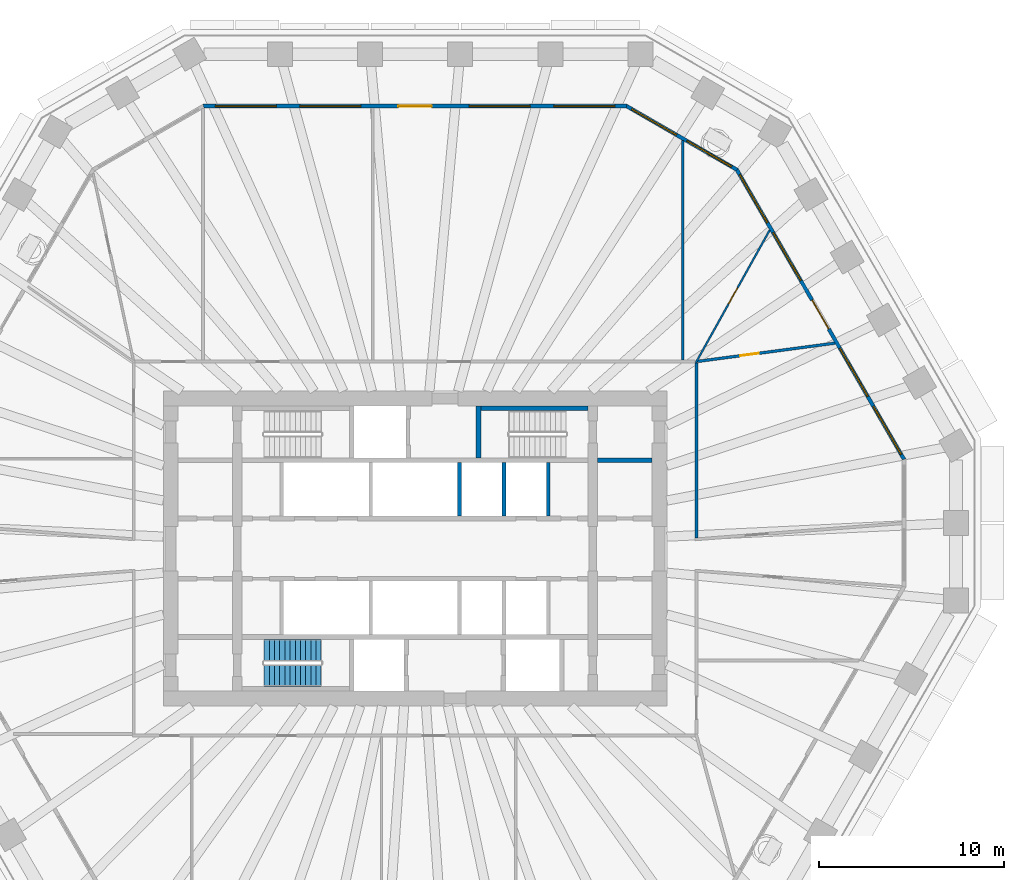
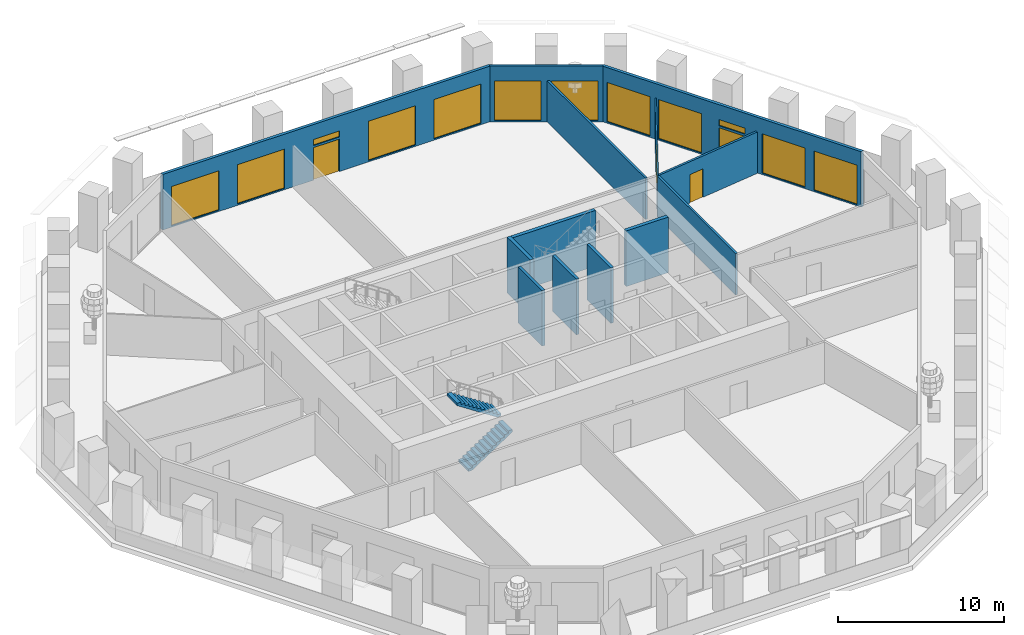
# One storey, part 7 of 12: 13 walls, 12 windows, 4 doors, 2 stair flights, 16 openings, 1 element without a shape of its own.
"""IFC4 building model written with IfcOpenShell, lengths in metres."""

from ifc_helpers import new_model, si_unit, direction, frame, frame_2d, origin, place, context, subcontext, project, spatial, polyline, rectangle, outline, extrude, material, layer, layer_set, type_object, element, fill, aggregate, save


model = new_model("IFC4")

# Units and contexts
model_context = context("Model", 3, precision=1e-05, world=origin(), true_north=direction((0.0, 1.0)))
body_context = subcontext(model_context, "Body", "Model", "MODEL_VIEW")
ifc_project = project(units=[si_unit("LENGTHUNIT", "METRE"), si_unit("AREAUNIT", "SQUARE_METRE"), si_unit("VOLUMEUNIT", "CUBIC_METRE"), si_unit("PLANEANGLEUNIT", "RADIAN"), si_unit("MASSUNIT", "GRAM", prefix="KILO")], contexts=[model_context])

# Site, building, storey
site_placement = place(None, origin())
site = spatial("IfcSite", under=ifc_project, at=site_placement, CompositionType="ELEMENT")
building_placement = place(site_placement, origin())
building = spatial("IfcBuilding", under=site, at=building_placement, Name="Frailejon Research Tower", CompositionType="ELEMENT")
storey_placement = place(building_placement, frame((0.0, 0.0, 130.800048828125)))
storey = spatial("IfcBuildingStorey", under=building, at=storey_placement, Name="L28", CompositionType="ELEMENT", Elevation=130.800048828125)

# Wall
ifc_material_1 = material(Name="Gypsum board and masonry partition", Category="masonry")
ifc_layer_1 = layer(ifc_material_1, 0.14990234375)
ifc_layer_set_1 = layer_set([ifc_layer_1], Name="Corridor wall EI 60, gypsum on steel studs 150")
wall_type_1 = type_object("IfcWallType", Name="Corridor wall EI 60, gypsum on steel studs 150", PredefinedType="PARTITIONING", material=ifc_layer_set_1)
wall_1_placement = place(storey_placement, frame((15.199951171875, 0.57568359375, 0.0), z_axis=(0.0, 0.0, 1.0), x_axis=(0.0, 1.0, 0.0)))
element("IfcWall", 1, at=wall_1_placement, inside=storey, type_object=wall_type_1, Name="T:IW:L28:004", PredefinedType="PARTITIONING", context=body_context, shape_type="SweptSolid", body=[
    extrude(rectangle(XDim=9.44921875, YDim=0.14990234375, at=frame_2d((4.724609375, 0.0))), origin(), (0.0, 0.0, 1.0), 3.050048828125),
])

# Wall, opening, door
ifc_material_2 = material(Name="Gypsum board and masonry partition", Category="masonry")
ifc_layer_2 = layer(ifc_material_2, 0.14990234375)
ifc_layer_set_2 = layer_set([ifc_layer_2], Name="Laboratory partition, blockwork 150")
wall_type_2 = type_object("IfcWallType", Name="Laboratory partition, blockwork 150", PredefinedType="PARTITIONING", material=ifc_layer_set_2)
wall_2_placement = place(storey_placement, frame((15.24951171875, 10.106689453125, 0.0), z_axis=(0.0, 0.0, 1.0), x_axis=(0.991272259153, 0.131830604315, 0.0)))
wall_2 = element("IfcWall", 2, at=wall_2_placement, inside=storey, type_object=wall_type_2, Name="T:IW:L28:011", PredefinedType="PARTITIONING", context=body_context, shape_type="SweptSolid", body=[
    extrude(rectangle(XDim=7.4892578125, YDim=0.14990234375, at=frame_2d((3.74462890625, 0.0))), origin(), (0.0, 0.0, 1.0), 3.050048828125),
])
opening_1_placement = place(wall_2_placement, frame((2.34375, 0.0, 0.0)))
opening_1 = element("IfcOpeningElement", 3, at=opening_1_placement, cuts=wall_2, Name="Opening D1664", PredefinedType="OPENING", context=body_context, shape_type="SweptSolid", body=[
    extrude(rectangle(XDim=1.0, YDim=2.10009765625, at=frame_2d((0.5, 1.050048828125))), frame((0.0, 0.0849609375, 0.0), z_axis=(0.0, -1.0, 0.0), x_axis=(1.0, 0.0, 0.0)), (0.0, 0.0, 1.0), 0.169921875),
])
ifc_material_3 = material(Name="Timber door leaf", Category="wood")
door_type_1 = type_object("IfcDoorType", Name="Door single leaf, timber, steel frame 1000", OperationType="NOTDEFINED", PredefinedType="DOOR", material=ifc_material_3)
door_1_placement = place(opening_1_placement, origin())
door_1 = element("IfcDoor", 4, at=door_1_placement, inside=storey, type_object=door_type_1, Name="D1664", OperationType="SINGLE_SWING_RIGHT", OverallHeight=2.10009765625, OverallWidth=1.0, PredefinedType="DOOR", context=body_context, shape_type="SweptSolid", body=[
    extrude(rectangle(XDim=1.0, YDim=2.10009765625, at=frame_2d((0.5, 1.050048828125))), frame((0.0, 0.02490234375, 0.0), z_axis=(0.0, -1.0, 0.0), x_axis=(1.0, 0.0, 0.0)), (0.0, 0.0, 1.0), 0.050048828125),
])
fill(opening_1, door_1)

# Wall
wall_3_placement = place(storey_placement, frame((14.453125, 10.175048828125, 0.0), z_axis=(0.0, 0.0, 1.0), x_axis=(0.0, 1.0, 0.0)))
element("IfcWall", 5, at=wall_3_placement, inside=storey, type_object=wall_type_2, Name="T:IW:L28:012", PredefinedType="PARTITIONING", context=body_context, shape_type="SweptSolid", body=[
    extrude(rectangle(XDim=11.862060546875, YDim=0.14990234375, at=frame_2d((5.93115234375, 0.0))), origin(), (0.0, 0.0, 1.0), 3.050048828125),
])

# Wall, opening, door
ifc_material_4 = material(Name="Gypsum board and masonry partition", Category="masonry")
ifc_layer_3 = layer(ifc_material_4, 0.10009765625)
ifc_layer_set_3 = layer_set([ifc_layer_3], Name="Partition, gypsum on steel studs 100")
wall_type_3 = type_object("IfcWallType", Name="Partition, gypsum on steel studs 100", PredefinedType="PARTITIONING", material=ifc_layer_set_3)
wall_4_placement = place(storey_placement, frame((15.16357421875, 10.034423828125, 0.0), z_axis=(0.0, 0.0, 1.0), x_axis=(0.486568356271, 0.873642509655, 0.0)))
wall_4 = element("IfcWall", 6, at=wall_4_placement, inside=storey, type_object=wall_type_3, Name="T:IW:L28:019", PredefinedType="PARTITIONING", context=body_context, shape_type="SweptSolid", body=[
    extrude(rectangle(XDim=8.19580078125, YDim=0.10009765625, at=frame_2d((4.097900390625, 0.0))), origin(), (0.0, 0.0, 1.0), 3.050048828125),
])
opening_2_placement = place(wall_4_placement, frame((3.63525390625, 0.0, 0.0)))
opening_2 = element("IfcOpeningElement", 7, at=opening_2_placement, cuts=wall_4, Name="Opening D1665", PredefinedType="OPENING", context=body_context, shape_type="SweptSolid", body=[
    extrude(rectangle(XDim=1.0, YDim=2.10009765625, at=frame_2d((0.5, 1.050048828125))), frame((0.0, 0.06005859375, 0.0), z_axis=(0.0, -1.0, 0.0), x_axis=(1.0, 0.0, 0.0)), (0.0, 0.0, 1.0), 0.1201171875),
])
door_2_placement = place(opening_2_placement, origin())
door_2 = element("IfcDoor", 8, at=door_2_placement, inside=storey, type_object=door_type_1, Name="D1665", OperationType="SINGLE_SWING_LEFT", OverallHeight=2.10009765625, OverallWidth=1.0, PredefinedType="DOOR", context=body_context, shape_type="SweptSolid", body=[
    extrude(rectangle(XDim=1.0, YDim=2.10009765625, at=frame_2d((0.5, 1.050048828125))), frame((0.0, 0.02490234375, 0.0), z_axis=(0.0, -1.0, 0.0), x_axis=(1.0, 0.0, 0.0)), (0.0, 0.0, 1.0), 0.050048828125),
])
fill(opening_2, door_2)

# Walls
ifc_material_5 = material(Name="Concrete C60/75", Category="concrete")
ifc_layer_4 = layer(ifc_material_5, 0.199951171875)
ifc_layer_set_4 = layer_set([ifc_layer_4], Name="Shaft wall 200 C60/75")
wall_type_4 = type_object("IfcWallType", Name="Shaft wall 200 C60/75", PredefinedType="SOLIDWALL", material=ifc_layer_set_4)
for number, where, z_axis, x_axis, name in (
    (9, (2.39990234375, 1.75, 0.0), (0.0, 0.0, 1.0), (0.0, 1.0, 0.0), "Shaft wall"),
    (10, (4.800048828125, 1.75, 0.0), (0.0, 0.0, 1.0), (0.0, 1.0, 0.0), "Shaft wall"),
    (11, (7.199951171875, 1.75, 0.0), (0.0, 0.0, 1.0), (0.0, 1.0, 0.0), "Shaft wall"),
):
    element("IfcWall", number, at=place(storey_placement, frame(where, z_axis=z_axis, x_axis=x_axis)), inside=storey, type_object=wall_type_4, Name=name, PredefinedType="SOLIDWALL", context=body_context, shape_type="SweptSolid", body=[
        extrude(rectangle(XDim=2.89990234375, YDim=0.199951171875, at=frame_2d((1.449951171875, 0.0))), origin(), (0.0, 0.0, 1.0), 4.099853515625),
    ])
ifc_material_6 = material(Name="Concrete C60/75", Category="concrete")
ifc_layer_5 = layer(ifc_material_6, 0.25)
ifc_layer_set_5 = layer_set([ifc_layer_5], Name="Shaft wall 250 C60/75")
wall_type_5 = type_object("IfcWallType", Name="Shaft wall 250 C60/75", PredefinedType="SOLIDWALL", material=ifc_layer_set_5)
wall_5_placement = place(storey_placement, frame((9.85009765625, 4.77490234375, 0.0), z_axis=(0.0, 0.0, 1.0), x_axis=(1.0, 0.0, 0.0)))
element("IfcWall", 12, at=wall_5_placement, inside=storey, type_object=wall_type_5, Name="Shaft wall", PredefinedType="SOLIDWALL", context=body_context, shape_type="SweptSolid", body=[
    extrude(rectangle(XDim=2.949951171875, YDim=0.25, at=frame_2d((1.47509765625, 0.0))), origin(), (0.0, 0.0, 1.0), 4.099853515625),
])
wall_6_placement = place(storey_placement, frame((3.550048828125, 7.574951171875, 0.0), z_axis=(0.0, 0.0, 1.0), x_axis=(1.0, 0.0, 0.0)))
element("IfcWall", 13, at=wall_6_placement, inside=storey, type_object=wall_type_5, Name="Shaft wall", PredefinedType="SOLIDWALL", context=body_context, shape_type="SweptSolid", body=[
    extrude(rectangle(XDim=5.800048828125, YDim=0.25, at=frame_2d((2.89990234375, 0.0))), origin(), (0.0, 0.0, 1.0), 4.099853515625),
])
wall_7_placement = place(storey_placement, frame((3.425048828125, 4.89990234375, 0.0), z_axis=(0.0, 0.0, 1.0), x_axis=(0.0, 1.0, 0.0)))
element("IfcWall", 14, at=wall_7_placement, inside=storey, type_object=wall_type_5, Name="Shaft wall", PredefinedType="SOLIDWALL", context=body_context, shape_type="SweptSolid", body=[
    extrude(rectangle(XDim=2.800048828125, YDim=0.25, at=frame_2d((1.39990234375, 0.0))), origin(), (0.0, 0.0, 1.0), 4.099853515625),
])

# Wall, openings, door, windows
ifc_material_7 = material(Name="Concrete C40/50 precast window wall panel", Category="concrete")
ifc_layer_6 = layer(ifc_material_7, 0.199951171875)
ifc_layer_set_6 = layer_set([ifc_layer_6], Name="Window wall 200")
wall_type_6 = type_object("IfcWallType", Name="Window wall 200", PredefinedType="SOLIDWALL", material=ifc_layer_set_6)
wall_8_placement = place(storey_placement, frame((26.4111328125, 4.820068359375, 0.0), z_axis=(0.0, 0.0, 1.0), x_axis=(-0.500000137386, 0.866025324465, 0.0)))
wall_8 = element("IfcWall", 15, at=wall_8_placement, inside=storey, type_object=wall_type_6, Name="Exterior wall L28", PredefinedType="SOLIDWALL", context=body_context, shape_type="SweptSolid", body=[
    extrude(outline(polyline([(-0.02685546875, -0.10009765625), (0.9794921875, -0.10009765625), (1.986083984375, -0.10009765625), (2.992431640625, -0.10009765625), (3.9990234375, -0.10009765625), (5.00537109375, -0.10009765625), (6.011962890625, -0.10009765625), (7.018310546875, -0.10009765625), (8.02490234375, -0.10009765625), (9.03125, -0.10009765625), (10.03759765625, -0.10009765625), (11.044189453125, -0.10009765625), (12.050537109375, -0.10009765625), (13.05712890625, -0.10009765625), (14.0634765625, -0.10009765625), (15.070068359375, -0.10009765625), (16.076416015625, -0.10009765625), (17.0830078125, -0.10009765625), (18.08935546875, -0.10009765625), (18.03564453125, 0.10009765625), (17.03515625, 0.10009765625), (16.03466796875, 0.10009765625), (15.0341796875, 0.10009765625), (14.03369140625, 0.10009765625), (13.033203125, 0.10009765625), (12.03271484375, 0.10009765625), (11.0322265625, 0.10009765625), (10.03173828125, 0.10009765625), (9.03125, 0.10009765625), (8.03076171875, 0.10009765625), (7.0302734375, 0.10009765625), (6.02978515625, 0.10009765625), (5.029296875, 0.10009765625), (4.02880859375, 0.10009765625), (3.0283203125, 0.10009765625), (2.02783203125, 0.10009765625), (1.02734375, 0.10009765625), (0.02685546875, 0.10009765625), (-0.02685546875, -0.10009765625)])), origin(), (0.0, 0.0, 1.0), 4.099853515625),
])
opening_3_placement = place(wall_8_placement, frame((0.306396484375, 0.0, 0.10009765625)))
opening_3 = element("IfcOpeningElement", 16, at=opening_3_placement, cuts=wall_8, Name="Opening W4", PredefinedType="OPENING", context=body_context, shape_type="SweptSolid", body=[
    extrude(rectangle(XDim=3.0, YDim=2.89990234375, at=frame_2d((1.5, 1.449951171875))), frame((0.0, 0.10986328125, 0.0), z_axis=(0.0, -1.0, 0.0), x_axis=(1.0, 0.0, 0.0)), (0.0, 0.0, 1.0), 0.219970703125),
])
opening_4_placement = place(wall_8_placement, frame((3.918701171875, 0.0, 0.10009765625)))
opening_4 = element("IfcOpeningElement", 17, at=opening_4_placement, cuts=wall_8, Name="Opening W4", PredefinedType="OPENING", context=body_context, shape_type="SweptSolid", body=[
    extrude(rectangle(XDim=3.0, YDim=2.89990234375, at=frame_2d((1.5, 1.449951171875))), frame((0.0, 0.10986328125, 0.0), z_axis=(0.0, -1.0, 0.0), x_axis=(1.0, 0.0, 0.0)), (0.0, 0.0, 1.0), 0.219970703125),
])
opening_5_placement = place(wall_8_placement, frame((8.13134765625, 0.0, 0.0)))
opening_5 = element("IfcOpeningElement", 18, at=opening_5_placement, cuts=wall_8, Name="Opening LG28-1", PredefinedType="OPENING", context=body_context, shape_type="SweptSolid", body=[
    extrude(rectangle(XDim=1.800048828125, YDim=2.39990234375, at=frame_2d((0.89990234375, 1.199951171875))), frame((0.0, 0.10986328125, 0.0), z_axis=(0.0, -1.0, 0.0), x_axis=(1.0, 0.0, 0.0)), (0.0, 0.0, 1.0), 0.219970703125),
])
opening_6_placement = place(wall_8_placement, frame((8.13134765625, 0.0, 2.550048828125)))
opening_6 = element("IfcOpeningElement", 19, at=opening_6_placement, cuts=wall_8, Name="Opening W1", PredefinedType="OPENING", context=body_context, shape_type="SweptSolid", body=[
    extrude(rectangle(XDim=1.800048828125, YDim=0.449951171875, at=frame_2d((0.89990234375, 0.22509765625))), frame((0.0, 0.10986328125, 0.0), z_axis=(0.0, -1.0, 0.0), x_axis=(1.0, 0.0, 0.0)), (0.0, 0.0, 1.0), 0.219970703125),
])
opening_7_placement = place(wall_8_placement, frame((11.143798828125, 0.0, 0.10009765625)))
opening_7 = element("IfcOpeningElement", 20, at=opening_7_placement, cuts=wall_8, Name="Opening W4", PredefinedType="OPENING", context=body_context, shape_type="SweptSolid", body=[
    extrude(rectangle(XDim=3.0, YDim=2.89990234375, at=frame_2d((1.5, 1.449951171875))), frame((0.0, 0.10986328125, 0.0), z_axis=(0.0, -1.0, 0.0), x_axis=(1.0, 0.0, 0.0)), (0.0, 0.0, 1.0), 0.219970703125),
])
opening_8_placement = place(wall_8_placement, frame((14.75634765625, 0.0, 0.10009765625)))
opening_8 = element("IfcOpeningElement", 21, at=opening_8_placement, cuts=wall_8, Name="Opening W4", PredefinedType="OPENING", context=body_context, shape_type="SweptSolid", body=[
    extrude(rectangle(XDim=3.0, YDim=2.89990234375, at=frame_2d((1.5, 1.449951171875))), frame((0.0, 0.10986328125, 0.0), z_axis=(0.0, -1.0, 0.0), x_axis=(1.0, 0.0, 0.0)), (0.0, 0.0, 1.0), 0.219970703125),
])
ifc_material_8 = material(Name="Aluminium framed glazed door leaf", Category="aluminium")
door_type_2 = type_object("IfcDoorType", Name="Loggia door 1800x2400", OperationType="DOUBLE_DOOR_SINGLE_SWING", PredefinedType="DOOR", material=ifc_material_8)
door_3_placement = place(opening_5_placement, origin())
door_3 = element("IfcDoor", 22, at=door_3_placement, inside=storey, type_object=door_type_2, Name="Door LG28-1", OperationType="DOUBLE_DOOR_SINGLE_SWING", OverallHeight=2.39990234375, OverallWidth=1.800048828125, PredefinedType="DOOR", context=body_context, shape_type="SweptSolid", body=[
    extrude(rectangle(XDim=1.800048828125, YDim=2.39990234375, at=frame_2d((0.89990234375, 1.199951171875))), frame((0.0, 0.02490234375, 0.0), z_axis=(0.0, -1.0, 0.0), x_axis=(1.0, 0.0, 0.0)), (0.0, 0.0, 1.0), 0.050048828125),
])
fill(opening_5, door_3)
ifc_material_9 = material(Name="Aluminium framed double glazing", Category="aluminium")
window_type_1 = type_object("IfcWindowType", Name="Window 1800x450", PartitioningType="SINGLE_PANEL", PredefinedType="WINDOW", material=ifc_material_9)
window_1_placement = place(opening_6_placement, origin())
window_1 = element("IfcWindow", 23, at=window_1_placement, inside=storey, type_object=window_type_1, Name="Window L28", OverallHeight=0.449951171875, OverallWidth=1.800048828125, PartitioningType="SINGLE_PANEL", PredefinedType="WINDOW", context=body_context, shape_type="SweptSolid", body=[
    extrude(rectangle(XDim=1.800048828125, YDim=0.449951171875, at=frame_2d((0.89990234375, 0.22509765625))), frame((0.0, 0.030029296875, 0.0), z_axis=(0.0, -1.0, 0.0), x_axis=(1.0, 0.0, 0.0)), (0.0, 0.0, 1.0), 0.06005859375),
])
fill(opening_6, window_1)
ifc_material_10 = material(Name="Aluminium framed double glazing", Category="aluminium")
window_type_2 = type_object("IfcWindowType", Name="Window 3000x2900", PartitioningType="SINGLE_PANEL", PredefinedType="WINDOW", material=ifc_material_10)
window_2_placement = place(opening_3_placement, origin())
window_2 = element("IfcWindow", 24, at=window_2_placement, inside=storey, type_object=window_type_2, Name="Window L28", OverallHeight=2.89990234375, OverallWidth=3.0, PartitioningType="SINGLE_PANEL", PredefinedType="WINDOW", context=body_context, shape_type="SweptSolid", body=[
    extrude(rectangle(XDim=3.0, YDim=2.89990234375, at=frame_2d((1.5, 1.449951171875))), frame((0.0, 0.030029296875, 0.0), z_axis=(0.0, -1.0, 0.0), x_axis=(1.0, 0.0, 0.0)), (0.0, 0.0, 1.0), 0.06005859375),
])
fill(opening_3, window_2)
window_3_placement = place(opening_4_placement, origin())
window_3 = element("IfcWindow", 25, at=window_3_placement, inside=storey, type_object=window_type_2, Name="Window L28", OverallHeight=2.89990234375, OverallWidth=3.0, PartitioningType="SINGLE_PANEL", PredefinedType="WINDOW", context=body_context, shape_type="SweptSolid", body=[
    extrude(rectangle(XDim=3.0, YDim=2.89990234375, at=frame_2d((1.5, 1.449951171875))), frame((0.0, 0.030029296875, 0.0), z_axis=(0.0, -1.0, 0.0), x_axis=(1.0, 0.0, 0.0)), (0.0, 0.0, 1.0), 0.06005859375),
])
fill(opening_4, window_3)
window_4_placement = place(opening_7_placement, origin())
window_4 = element("IfcWindow", 26, at=window_4_placement, inside=storey, type_object=window_type_2, Name="Window L28", OverallHeight=2.89990234375, OverallWidth=3.0, PartitioningType="SINGLE_PANEL", PredefinedType="WINDOW", context=body_context, shape_type="SweptSolid", body=[
    extrude(rectangle(XDim=3.0, YDim=2.89990234375, at=frame_2d((1.5, 1.449951171875))), frame((0.0, 0.030029296875, 0.0), z_axis=(0.0, -1.0, 0.0), x_axis=(1.0, 0.0, 0.0)), (0.0, 0.0, 1.0), 0.06005859375),
])
fill(opening_7, window_4)
window_5_placement = place(opening_8_placement, origin())
window_5 = element("IfcWindow", 27, at=window_5_placement, inside=storey, type_object=window_type_2, Name="Window L28", OverallHeight=2.89990234375, OverallWidth=3.0, PartitioningType="SINGLE_PANEL", PredefinedType="WINDOW", context=body_context, shape_type="SweptSolid", body=[
    extrude(rectangle(XDim=3.0, YDim=2.89990234375, at=frame_2d((1.5, 1.449951171875))), frame((0.0, 0.030029296875, 0.0), z_axis=(0.0, -1.0, 0.0), x_axis=(1.0, 0.0, 0.0)), (0.0, 0.0, 1.0), 0.06005859375),
])
fill(opening_8, window_5)

# Wall, openings, windows
wall_9_placement = place(storey_placement, frame((17.3798828125, 20.462646484375, 0.0), z_axis=(0.0, 0.0, 1.0), x_axis=(-0.866029458321, 0.49999297727, 0.0)))
wall_9 = element("IfcWall", 28, at=wall_9_placement, inside=storey, type_object=wall_type_6, Name="Exterior wall L28", PredefinedType="SOLIDWALL", context=body_context, shape_type="SweptSolid", body=[
    extrude(outline(polyline([(-0.02685546875, -0.10009765625), (1.1279296875, -0.10009765625), (2.282470703125, -0.10009765625), (3.437255859375, -0.10009765625), (4.592041015625, -0.10009765625), (5.74658203125, -0.10009765625), (6.9013671875, -0.10009765625), (6.84765625, 0.10009765625), (5.7109375, 0.10009765625), (4.573974609375, 0.10009765625), (3.437255859375, 0.10009765625), (2.300537109375, 0.10009765625), (1.16357421875, 0.10009765625), (0.02685546875, 0.10009765625), (-0.02685546875, -0.10009765625)])), origin(), (0.0, 0.0, 1.0), 4.099853515625),
])
opening_9_placement = place(wall_9_placement, frame((0.318603515625, 0.0, 0.10009765625)))
opening_9 = element("IfcOpeningElement", 29, at=opening_9_placement, cuts=wall_9, Name="Opening W3", PredefinedType="OPENING", context=body_context, shape_type="SweptSolid", body=[
    extrude(rectangle(XDim=2.800048828125, YDim=2.89990234375, at=frame_2d((1.39990234375, 1.449951171875))), frame((0.0, 0.10986328125, 0.0), z_axis=(0.0, -1.0, 0.0), x_axis=(1.0, 0.0, 0.0)), (0.0, 0.0, 1.0), 0.219970703125),
])
opening_10_placement = place(wall_9_placement, frame((3.756103515625, 0.0, 0.10009765625)))
opening_10 = element("IfcOpeningElement", 30, at=opening_10_placement, cuts=wall_9, Name="Opening W3", PredefinedType="OPENING", context=body_context, shape_type="SweptSolid", body=[
    extrude(rectangle(XDim=2.800048828125, YDim=2.89990234375, at=frame_2d((1.39990234375, 1.449951171875))), frame((0.0, 0.10986328125, 0.0), z_axis=(0.0, -1.0, 0.0), x_axis=(1.0, 0.0, 0.0)), (0.0, 0.0, 1.0), 0.219970703125),
])
ifc_material_11 = material(Name="Aluminium framed double glazing", Category="aluminium")
window_type_3 = type_object("IfcWindowType", Name="Window 2800x2900", PartitioningType="SINGLE_PANEL", PredefinedType="WINDOW", material=ifc_material_11)
window_6_placement = place(opening_9_placement, origin())
window_6 = element("IfcWindow", 31, at=window_6_placement, inside=storey, type_object=window_type_3, Name="Window L28", OverallHeight=2.89990234375, OverallWidth=2.800048828125, PartitioningType="SINGLE_PANEL", PredefinedType="WINDOW", context=body_context, shape_type="SweptSolid", body=[
    extrude(rectangle(XDim=2.800048828125, YDim=2.89990234375, at=frame_2d((1.39990234375, 1.449951171875))), frame((0.0, 0.030029296875, 0.0), z_axis=(0.0, -1.0, 0.0), x_axis=(1.0, 0.0, 0.0)), (0.0, 0.0, 1.0), 0.06005859375),
])
fill(opening_9, window_6)
window_7_placement = place(opening_10_placement, origin())
window_7 = element("IfcWindow", 32, at=window_7_placement, inside=storey, type_object=window_type_3, Name="Window L28", OverallHeight=2.89990234375, OverallWidth=2.800048828125, PartitioningType="SINGLE_PANEL", PredefinedType="WINDOW", context=body_context, shape_type="SweptSolid", body=[
    extrude(rectangle(XDim=2.800048828125, YDim=2.89990234375, at=frame_2d((1.39990234375, 1.449951171875))), frame((0.0, 0.030029296875, 0.0), z_axis=(0.0, -1.0, 0.0), x_axis=(1.0, 0.0, 0.0)), (0.0, 0.0, 1.0), 0.06005859375),
])
fill(opening_10, window_7)

# Wall, openings, door, windows
wall_10_placement = place(storey_placement, frame((11.42626953125, 23.89990234375, 0.0), z_axis=(0.0, 0.0, 1.0), x_axis=(-1.0, 0.0, 0.0)))
wall_10 = element("IfcWall", 33, at=wall_10_placement, inside=storey, type_object=wall_type_6, Name="Exterior wall L28", PredefinedType="SOLIDWALL", context=body_context, shape_type="SweptSolid", body=[
    extrude(outline(polyline([(-0.02685546875, -0.10009765625), (1.014404296875, -0.10009765625), (2.055419921875, -0.10009765625), (3.0966796875, -0.10009765625), (4.137939453125, -0.10009765625), (5.17919921875, -0.10009765625), (6.22021484375, -0.10009765625), (7.261474609375, -0.10009765625), (8.302734375, -0.10009765625), (9.343994140625, -0.10009765625), (10.385009765625, -0.10009765625), (11.42626953125, -0.10009765625), (12.467529296875, -0.10009765625), (13.508544921875, -0.10009765625), (14.5498046875, -0.10009765625), (15.591064453125, -0.10009765625), (16.63232421875, -0.10009765625), (17.67333984375, -0.10009765625), (18.714599609375, -0.10009765625), (19.755859375, -0.10009765625), (20.797119140625, -0.10009765625), (21.838134765625, -0.10009765625), (22.87939453125, -0.10009765625), (22.82568359375, 0.10009765625), (21.789306640625, 0.10009765625), (20.753173828125, 0.10009765625), (19.716796875, 0.10009765625), (18.680419921875, 0.10009765625), (17.64404296875, 0.10009765625), (16.60791015625, 0.10009765625), (15.571533203125, 0.10009765625), (14.53515625, 0.10009765625), (13.498779296875, 0.10009765625), (12.462646484375, 0.10009765625), (11.42626953125, 0.10009765625), (10.389892578125, 0.10009765625), (9.353759765625, 0.10009765625), (8.3173828125, 0.10009765625), (7.281005859375, 0.10009765625), (6.24462890625, 0.10009765625), (5.20849609375, 0.10009765625), (4.172119140625, 0.10009765625), (3.1357421875, 0.10009765625), (2.099365234375, 0.10009765625), (1.063232421875, 0.10009765625), (0.02685546875, 0.10009765625), (-0.02685546875, -0.10009765625)])), origin(), (0.0, 0.0, 1.0), 4.099853515625),
])
opening_11_placement = place(wall_10_placement, frame((0.63525390625, 0.0, 0.10009765625)))
opening_11 = element("IfcOpeningElement", 34, at=opening_11_placement, cuts=wall_10, Name="Opening W5", PredefinedType="OPENING", context=body_context, shape_type="SweptSolid", body=[
    extrude(rectangle(XDim=3.300048828125, YDim=2.89990234375, at=frame_2d((1.64990234375, 1.449951171875))), frame((0.0, 0.10986328125, 0.0), z_axis=(0.0, -1.0, 0.0), x_axis=(1.0, 0.0, 0.0)), (0.0, 0.0, 1.0), 0.219970703125),
])
opening_12_placement = place(wall_10_placement, frame((5.205810546875, 0.0, 0.10009765625)))
opening_12 = element("IfcOpeningElement", 35, at=opening_12_placement, cuts=wall_10, Name="Opening W5", PredefinedType="OPENING", context=body_context, shape_type="SweptSolid", body=[
    extrude(rectangle(XDim=3.300048828125, YDim=2.89990234375, at=frame_2d((1.64990234375, 1.449951171875))), frame((0.0, 0.10986328125, 0.0), z_axis=(0.0, -1.0, 0.0), x_axis=(1.0, 0.0, 0.0)), (0.0, 0.0, 1.0), 0.219970703125),
])
opening_13_placement = place(wall_10_placement, frame((10.5263671875, 0.0, 0.0)))
opening_13 = element("IfcOpeningElement", 36, at=opening_13_placement, cuts=wall_10, Name="Opening LG28-2", PredefinedType="OPENING", context=body_context, shape_type="SweptSolid", body=[
    extrude(rectangle(XDim=1.800048828125, YDim=2.39990234375, at=frame_2d((0.89990234375, 1.199951171875))), frame((0.0, 0.10986328125, 0.0), z_axis=(0.0, -1.0, 0.0), x_axis=(1.0, 0.0, 0.0)), (0.0, 0.0, 1.0), 0.219970703125),
])
opening_14_placement = place(wall_10_placement, frame((10.5263671875, 0.0, 2.550048828125)))
opening_14 = element("IfcOpeningElement", 37, at=opening_14_placement, cuts=wall_10, Name="Opening W1", PredefinedType="OPENING", context=body_context, shape_type="SweptSolid", body=[
    extrude(rectangle(XDim=1.800048828125, YDim=0.449951171875, at=frame_2d((0.89990234375, 0.22509765625))), frame((0.0, 0.10986328125, 0.0), z_axis=(0.0, -1.0, 0.0), x_axis=(1.0, 0.0, 0.0)), (0.0, 0.0, 1.0), 0.219970703125),
])
opening_15_placement = place(wall_10_placement, frame((14.3466796875, 0.0, 0.10009765625)))
opening_15 = element("IfcOpeningElement", 38, at=opening_15_placement, cuts=wall_10, Name="Opening W5", PredefinedType="OPENING", context=body_context, shape_type="SweptSolid", body=[
    extrude(rectangle(XDim=3.300048828125, YDim=2.89990234375, at=frame_2d((1.64990234375, 1.449951171875))), frame((0.0, 0.10986328125, 0.0), z_axis=(0.0, -1.0, 0.0), x_axis=(1.0, 0.0, 0.0)), (0.0, 0.0, 1.0), 0.219970703125),
])
opening_16_placement = place(wall_10_placement, frame((18.917236328125, 0.0, 0.10009765625)))
opening_16 = element("IfcOpeningElement", 39, at=opening_16_placement, cuts=wall_10, Name="Opening W5", PredefinedType="OPENING", context=body_context, shape_type="SweptSolid", body=[
    extrude(rectangle(XDim=3.300048828125, YDim=2.89990234375, at=frame_2d((1.64990234375, 1.449951171875))), frame((0.0, 0.10986328125, 0.0), z_axis=(0.0, -1.0, 0.0), x_axis=(1.0, 0.0, 0.0)), (0.0, 0.0, 1.0), 0.219970703125),
])
door_4_placement = place(opening_13_placement, origin())
door_4 = element("IfcDoor", 40, at=door_4_placement, inside=storey, type_object=door_type_2, Name="Door LG28-2", OperationType="DOUBLE_DOOR_SINGLE_SWING", OverallHeight=2.39990234375, OverallWidth=1.800048828125, PredefinedType="DOOR", context=body_context, shape_type="SweptSolid", body=[
    extrude(rectangle(XDim=1.800048828125, YDim=2.39990234375, at=frame_2d((0.89990234375, 1.199951171875))), frame((0.0, 0.02490234375, 0.0), z_axis=(0.0, -1.0, 0.0), x_axis=(1.0, 0.0, 0.0)), (0.0, 0.0, 1.0), 0.050048828125),
])
fill(opening_13, door_4)
window_8_placement = place(opening_14_placement, origin())
window_8 = element("IfcWindow", 41, at=window_8_placement, inside=storey, type_object=window_type_1, Name="Window L28", OverallHeight=0.449951171875, OverallWidth=1.800048828125, PartitioningType="SINGLE_PANEL", PredefinedType="WINDOW", context=body_context, shape_type="SweptSolid", body=[
    extrude(rectangle(XDim=1.800048828125, YDim=0.449951171875, at=frame_2d((0.89990234375, 0.22509765625))), frame((0.0, 0.030029296875, 0.0), z_axis=(0.0, -1.0, 0.0), x_axis=(1.0, 0.0, 0.0)), (0.0, 0.0, 1.0), 0.06005859375),
])
fill(opening_14, window_8)
ifc_material_12 = material(Name="Aluminium framed double glazing", Category="aluminium")
window_type_4 = type_object("IfcWindowType", Name="Window 3300x2900", PartitioningType="SINGLE_PANEL", PredefinedType="WINDOW", material=ifc_material_12)
window_9_placement = place(opening_11_placement, origin())
window_9 = element("IfcWindow", 42, at=window_9_placement, inside=storey, type_object=window_type_4, Name="Window L28", OverallHeight=2.89990234375, OverallWidth=3.300048828125, PartitioningType="SINGLE_PANEL", PredefinedType="WINDOW", context=body_context, shape_type="SweptSolid", body=[
    extrude(rectangle(XDim=3.300048828125, YDim=2.89990234375, at=frame_2d((1.64990234375, 1.449951171875))), frame((0.0, 0.030029296875, 0.0), z_axis=(0.0, -1.0, 0.0), x_axis=(1.0, 0.0, 0.0)), (0.0, 0.0, 1.0), 0.06005859375),
])
fill(opening_11, window_9)
window_10_placement = place(opening_12_placement, origin())
window_10 = element("IfcWindow", 43, at=window_10_placement, inside=storey, type_object=window_type_4, Name="Window L28", OverallHeight=2.89990234375, OverallWidth=3.300048828125, PartitioningType="SINGLE_PANEL", PredefinedType="WINDOW", context=body_context, shape_type="SweptSolid", body=[
    extrude(rectangle(XDim=3.300048828125, YDim=2.89990234375, at=frame_2d((1.64990234375, 1.449951171875))), frame((0.0, 0.030029296875, 0.0), z_axis=(0.0, -1.0, 0.0), x_axis=(1.0, 0.0, 0.0)), (0.0, 0.0, 1.0), 0.06005859375),
])
fill(opening_12, window_10)
window_11_placement = place(opening_15_placement, origin())
window_11 = element("IfcWindow", 44, at=window_11_placement, inside=storey, type_object=window_type_4, Name="Window L28", OverallHeight=2.89990234375, OverallWidth=3.300048828125, PartitioningType="SINGLE_PANEL", PredefinedType="WINDOW", context=body_context, shape_type="SweptSolid", body=[
    extrude(rectangle(XDim=3.300048828125, YDim=2.89990234375, at=frame_2d((1.64990234375, 1.449951171875))), frame((0.0, 0.030029296875, 0.0), z_axis=(0.0, -1.0, 0.0), x_axis=(1.0, 0.0, 0.0)), (0.0, 0.0, 1.0), 0.06005859375),
])
fill(opening_15, window_11)
window_12_placement = place(opening_16_placement, origin())
window_12 = element("IfcWindow", 45, at=window_12_placement, inside=storey, type_object=window_type_4, Name="Window L28", OverallHeight=2.89990234375, OverallWidth=3.300048828125, PartitioningType="SINGLE_PANEL", PredefinedType="WINDOW", context=body_context, shape_type="SweptSolid", body=[
    extrude(rectangle(XDim=3.300048828125, YDim=2.89990234375, at=frame_2d((1.64990234375, 1.449951171875))), frame((0.0, 0.030029296875, 0.0), z_axis=(0.0, -1.0, 0.0), x_axis=(1.0, 0.0, 0.0)), (0.0, 0.0, 1.0), 0.06005859375),
])
fill(opening_16, window_12)

# Stair, stair flights
ifc_material_13 = material(Name="Concrete C50/60", Category="concrete")
stair_type = type_object("IfcStairType", Name="Exit stair 24 risers", PredefinedType="HALF_TURN_STAIR", material=ifc_material_13)
stair_placement = place(storey_placement, origin())
stair = element("IfcStair", 46, at=stair_placement, inside=storey, type_object=stair_type, Name="L28 Exit stair ST2", PredefinedType="HALF_TURN_STAIR")
ifc_material_14 = material(Name="Concrete C50/60", Category="concrete")
ifc_layer_7 = layer(ifc_material_14, 0.14990234375)
ifc_layer_set_7 = layer_set([ifc_layer_7], Name="Stair flight 12 risers")
stair_flight_type = type_object("IfcStairFlightType", Name="Stair flight 12 risers", PredefinedType="STRAIGHT", material=ifc_layer_set_7)
stair_flight_1_placement = place(storey_placement, frame((-8.14990234375, -6.85009765625, 0.0), z_axis=(0.0, 0.0, 1.0), x_axis=(1.0, 0.0, 0.0)))
stair_flight_1 = element("IfcStairFlight", 47, at=stair_flight_1_placement, type_object=stair_flight_type, Name="ST2 flight 1", NumberOfRisers=12, NumberOfTreads=11, PredefinedType="STRAIGHT", RiserHeight=0.183333333, TreadLength=0.28, context=body_context, shape_type="SweptSolid", body=[
    extrude(outline(polyline([(0.0, 0.0), (0.0, 0.183349609375), (0.280029296875, 0.183349609375), (0.280029296875, 0.36669921875), (0.56005859375, 0.36669921875), (0.56005859375, 0.550048828125), (0.840087890625, 0.550048828125), (0.840087890625, 0.7333984375), (1.1201171875, 0.7333984375), (1.1201171875, 0.916748046875), (1.39990234375, 0.916748046875), (1.39990234375, 1.10009765625), (1.679931640625, 1.10009765625), (1.679931640625, 1.283447265625), (1.9599609375, 1.283447265625), (1.9599609375, 1.466552734375), (2.239990234375, 1.466552734375), (2.239990234375, 1.64990234375), (2.52001953125, 1.64990234375), (2.52001953125, 1.833251953125), (2.800048828125, 1.833251953125), (2.800048828125, 2.0166015625), (3.080078125, 2.0166015625), (3.080078125, 2.199951171875), (3.080078125, 1.83740234375), (0.273681640625, 0.0), (0.0, 0.0)])), frame((0.0, 0.60009765625, 0.0), z_axis=(0.0, -1.0, 0.0), x_axis=(1.0, 0.0, 0.0)), (0.0, 0.0, 1.0), 1.199951171875),
])
stair_flight_2_placement = place(storey_placement, frame((-5.070068359375, -5.5, 2.199951171875), z_axis=(0.0, 0.0, 1.0), x_axis=(-1.0, 0.0, 0.0)))
stair_flight_2 = element("IfcStairFlight", 48, at=stair_flight_2_placement, type_object=stair_flight_type, Name="ST2 flight 2", NumberOfRisers=12, NumberOfTreads=11, PredefinedType="STRAIGHT", RiserHeight=0.183333333, TreadLength=0.28, context=body_context, shape_type="SweptSolid", body=[
    extrude(outline(polyline([(0.0, 0.0), (0.0, 0.183349609375), (0.280029296875, 0.183349609375), (0.280029296875, 0.36669921875), (0.56005859375, 0.36669921875), (0.56005859375, 0.550048828125), (0.840087890625, 0.550048828125), (0.840087890625, 0.7333984375), (1.1201171875, 0.7333984375), (1.1201171875, 0.916748046875), (1.39990234375, 0.916748046875), (1.39990234375, 1.10009765625), (1.679931640625, 1.10009765625), (1.679931640625, 1.283447265625), (1.9599609375, 1.283447265625), (1.9599609375, 1.466552734375), (2.239990234375, 1.466552734375), (2.239990234375, 1.64990234375), (2.52001953125, 1.64990234375), (2.52001953125, 1.833251953125), (2.800048828125, 1.833251953125), (2.800048828125, 2.0166015625), (3.080078125, 2.0166015625), (3.080078125, 2.199951171875), (3.080078125, 1.83740234375), (0.273681640625, 0.0), (0.0, 0.0)])), frame((0.0, 0.60009765625, 0.0), z_axis=(0.0, -1.0, 0.0), x_axis=(1.0, 0.0, 0.0)), (0.0, 0.0, 1.0), 1.199951171875),
])
aggregate(stair, [stair_flight_1, stair_flight_2])

save(model, "model.ifc")
